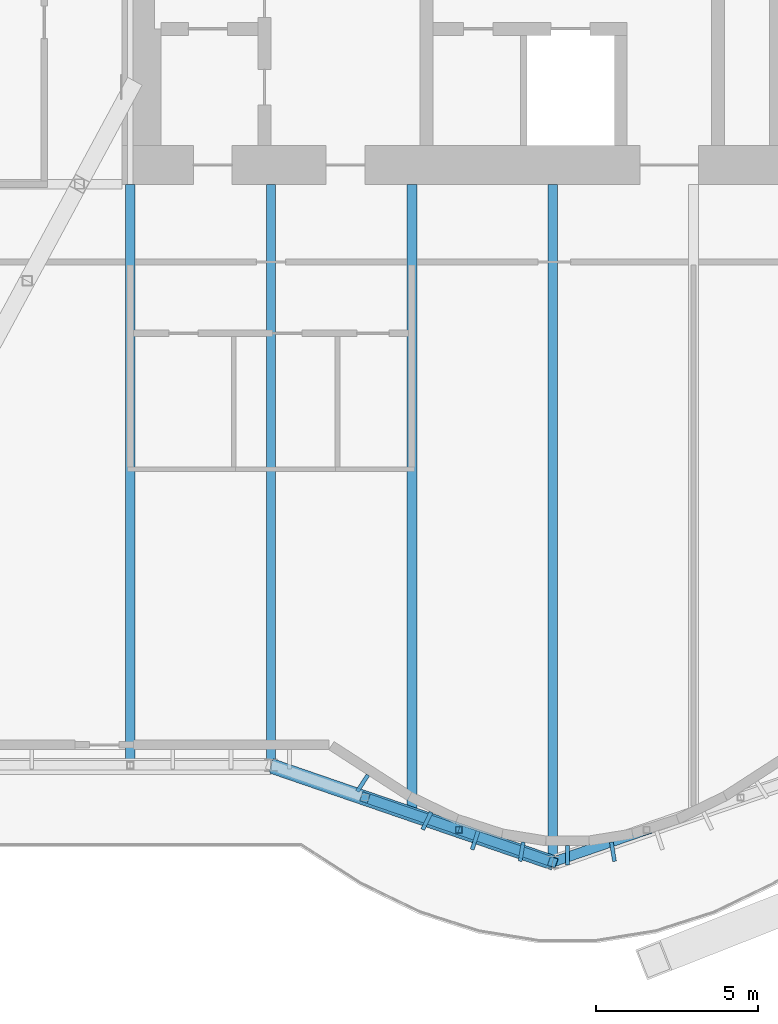
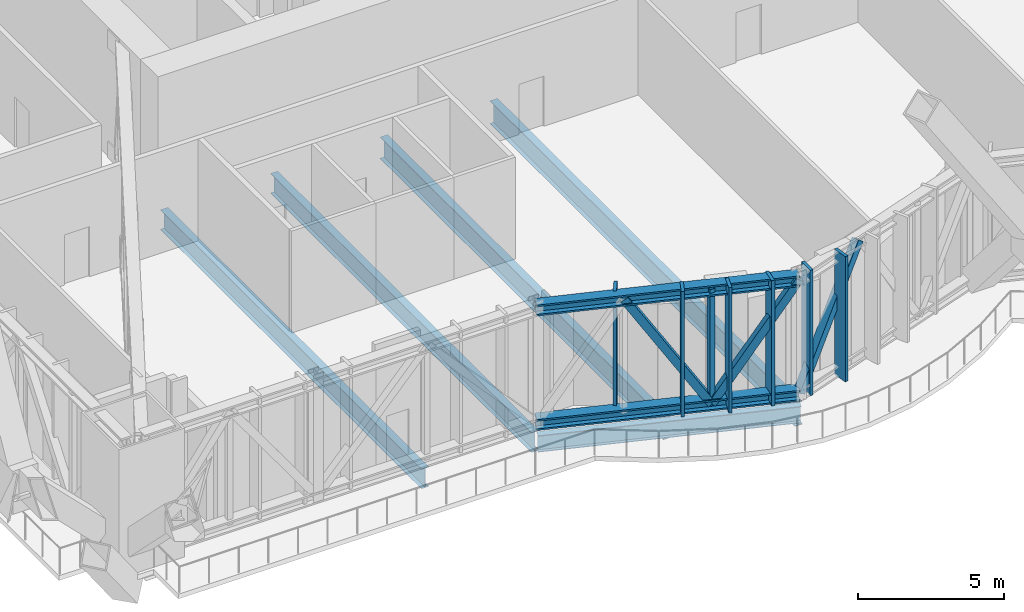
# One storey, part 5 of 30: 12 members, 5 beams, 1 element without a shape of its own.
"""IFC4 building model written with IfcOpenShell, lengths in metres."""

import ifcopenshell
import ifcopenshell.guid

model = None  # the IFC model being written
_history = None  # IfcOwnerHistory: only IFC2X3 demands one
_inside = {}  # id of a spatial element -> (the spatial element, [elements in it])
_under = {}  # id of a project, library or spatial element -> (it, [spatial elements below it])
_declared = {}  # id of a project -> (the project, [libraries it declares])
_typed = {}  # id of a type object -> (the type object, [elements of that type])
_made_of = {}  # id of a material, layer set ... -> (it, [elements and type objects made of it])


def new_model(schema):
    """Start an empty IFC model of exactly this schema.

    Asked for "IFC4X3", IfcOpenShell would pick the latest addendum, in which some entities
    have other attributes; the version numbers below select the first issue.
    IFC2X3 requires an IfcOwnerHistory on every rooted entity: one is made here for all.
    """
    global model, _history
    if schema == "IFC4X3":
        model = ifcopenshell.file(schema_version=(4, 3, 0, 0))
    else:
        model = ifcopenshell.file(schema=schema)
    _inside.clear()
    _under.clear()
    _declared.clear()
    _typed.clear()
    _made_of.clear()
    _history = None
    if model.schema == "IFC2X3":
        org = make("IfcOrganization", Name="unknown")
        user = make(
            "IfcPersonAndOrganization",
            ThePerson=make("IfcPerson", FamilyName="unknown"),
            TheOrganization=org,
        )
        app = make(
            "IfcApplication",
            ApplicationDeveloper=org,
            Version="unknown",
            ApplicationFullName="unknown",
            ApplicationIdentifier="unknown",
        )
        _history = make(
            "IfcOwnerHistory",
            OwningUser=user,
            OwningApplication=app,
            ChangeAction="ADDED",
            CreationDate=0,
        )
    return model


def make(cls, **values):
    """One entity of the class cls with the attributes given. An attribute that is None is left unset."""
    return model.create_entity(
        cls, **{name: value for name, value in values.items() if value is not None}
    )


def rooted(cls, **values):
    """An entity with a GlobalId (a new one), such as an element, a storey or a relation."""
    return make(cls, GlobalId=ifcopenshell.guid.new(), OwnerHistory=_history, **values)


def si_unit(unit_type, name, prefix=None):
    """IfcSIUnit, for example si_unit("LENGTHUNIT", "METRE", prefix="MILLI")."""
    return make("IfcSIUnit", UnitType=unit_type, Prefix=prefix, Name=name)


def assignment(units):
    """IfcUnitAssignment: the units of a project."""
    return None if units is None else make("IfcUnitAssignment", Units=units)


def point(xyz):
    """IfcCartesianPoint."""
    return None if xyz is None else make("IfcCartesianPoint", Coordinates=xyz)


def direction(xyz):
    """IfcDirection."""
    return None if xyz is None else make("IfcDirection", DirectionRatios=xyz)


def frame(location, z_axis=None, x_axis=None):
    """IfcAxis2Placement3D, a coordinate frame: its origin and axes. An axis left out is left unset."""
    return make(
        "IfcAxis2Placement3D",
        Location=point(location),
        Axis=direction(z_axis),
        RefDirection=direction(x_axis),
    )


def frame_2d(location, x_axis=None):
    """IfcAxis2Placement2D, a coordinate frame in the plane: its origin and x axis."""
    return make(
        "IfcAxis2Placement2D", Location=point(location), RefDirection=direction(x_axis)
    )


def origin():
    """The frame at (0, 0, 0) with its axes left unset."""
    return frame((0.0, 0.0, 0.0))


def origin_2d():
    """The frame at (0, 0) in the plane with its x axis left unset."""
    return frame_2d((0.0, 0.0))


def place(relative_to, where):
    """IfcLocalPlacement: puts the frame where relative to a parent placement (None: the world)."""
    return make(
        "IfcLocalPlacement", PlacementRelTo=relative_to, RelativePlacement=where
    )


def context(
    kind, dimensions, precision=None, world=None, true_north=None, identifier=None
):
    """IfcGeometricRepresentationContext, for example the 3D "Model" context."""
    return make(
        "IfcGeometricRepresentationContext",
        ContextIdentifier=identifier,
        ContextType=kind,
        CoordinateSpaceDimension=dimensions,
        Precision=precision,
        WorldCoordinateSystem=world,
        TrueNorth=true_north,
    )


def subcontext(parent, identifier, kind, view, scale=None):
    """IfcGeometricRepresentationSubContext, for example "Body" below "Model"."""
    return make(
        "IfcGeometricRepresentationSubContext",
        ContextIdentifier=identifier,
        ContextType=kind,
        ParentContext=parent,
        TargetScale=scale,
        TargetView=view,
    )


def project(units=None, contexts=None):
    """IfcProject with its units and contexts."""
    return rooted(
        "IfcProject",
        Name="project",
        RepresentationContexts=contexts,
        UnitsInContext=assignment(units),
    )


def spatial(cls, under=None, at=None, **own):
    """A site, building, storey or space (cls), placed at a placement, below another one or the project."""
    s = rooted(cls, ObjectPlacement=at, **own)
    if under is not None:
        _under.setdefault(under.id(), (under, []))[1].append(s)
    return s


def profile(cls, at=None, kind="AREA", **sizes):
    """A parametric profile (cls). Its sizes go by their IFC names, for example OverallWidth=200.0."""
    return make(cls, ProfileType=kind, Position=at, **sizes)


def rectangle(**sizes):
    """IfcRectangleProfileDef."""
    return profile("IfcRectangleProfileDef", **sizes)


def hollow_rectangle(**sizes):
    """IfcRectangleHollowProfileDef."""
    return profile("IfcRectangleHollowProfileDef", **sizes)


def i_section(**sizes):
    """IfcIShapeProfileDef."""
    return profile("IfcIShapeProfileDef", **sizes)


def extrude(swept, where, along, depth):
    """IfcExtrudedAreaSolid: the profile swept, set in the frame where, extruded along a direction by depth."""
    return make(
        "IfcExtrudedAreaSolid",
        SweptArea=swept,
        Position=where,
        ExtrudedDirection=direction(along),
        Depth=depth,
    )


def shape(context_of_items, identifier, shape_type, items):
    """IfcShapeRepresentation: the items that make up one representation, for example the "Body"."""
    return make(
        "IfcShapeRepresentation",
        ContextOfItems=context_of_items,
        RepresentationIdentifier=identifier,
        RepresentationType=shape_type,
        Items=items,
    )


def material(Name=None, Category=None):
    """IfcMaterial."""
    return make("IfcMaterial", Name=Name, Category=Category)


def material_profile(
    of_material, cross_section, Name=None, Category=None, Priority=None
):
    """IfcMaterialProfile: a cross section and its material."""
    return make(
        "IfcMaterialProfile",
        Name=Name,
        Material=of_material,
        Profile=cross_section,
        Priority=Priority,
        Category=Category,
    )


def profile_set(profiles, Name=None, composite=None):
    """IfcMaterialProfileSet."""
    return make(
        "IfcMaterialProfileSet",
        Name=Name,
        MaterialProfiles=profiles,
        CompositeProfile=composite,
    )


def made_of(thing, what):
    """Note that an element or type object is made of a material, layer set ...; save() writes the relation."""
    if what is not None:
        _made_of.setdefault(what.id(), (what, []))[1].append(thing)
    return thing


def type_object(cls, material=None, **own):
    """A type object (cls), such as IfcWallType, which elements share."""
    return made_of(rooted(cls, **own), material)


def element(
    cls,
    number,
    at=None,
    inside=None,
    cuts=None,
    type_object=None,
    material=None,
    context=None,
    identifier="Body",
    shape_type=None,
    held_by="IfcProductDefinitionShape",
    body=None,
    shapes=None,
    **own,
):
    """One element of the class cls, such as IfcWall. Its Tag is "e" and its number.

    at: its placement. inside: the storey or other place that contains it. cuts: it is an
    opening in that element (IfcRelVoidsElement). A single representation is given by context,
    identifier, shape_type and body (its items); several are given by shapes. held_by: the class
    of the entity that holds the representations. save() writes the other relations.
    """
    e = rooted(cls, Tag="e%d" % number, ObjectPlacement=at, **own)
    if body is not None:
        shapes = [shape(context, identifier, shape_type, body)]
    if shapes is not None:
        e.Representation = make(held_by, Representations=shapes)
    if inside is not None:
        _inside.setdefault(inside.id(), (inside, []))[1].append(e)
    if cuts is not None:
        rooted(
            "IfcRelVoidsElement", RelatingBuildingElement=cuts, RelatedOpeningElement=e
        )
    if type_object is not None:
        _typed.setdefault(type_object.id(), (type_object, []))[1].append(e)
    return made_of(e, material)


def aggregate(whole, parts):
    """IfcRelAggregates: a whole, such as a stair, and the parts it consists of."""
    return rooted("IfcRelAggregates", RelatingObject=whole, RelatedObjects=parts)


def save(model, path):
    """Write the relations noted so far, then the file.

    IfcRelAggregates (storeys below a building ...), IfcRelContainedInSpatialStructure (elements
    in a storey), IfcRelDefinesByType, IfcRelAssociatesMaterial and IfcRelDeclares: one each for
    every whole, place, type object, material and project.
    """
    for whole, parts in _under.values():
        aggregate(whole, parts)
    for where, things in _inside.values():
        rooted(
            "IfcRelContainedInSpatialStructure",
            RelatedElements=things,
            RelatingStructure=where,
        )
    for kind, things in _typed.values():
        rooted("IfcRelDefinesByType", RelatedObjects=things, RelatingType=kind)
    for what, things in _made_of.values():
        rooted("IfcRelAssociatesMaterial", RelatedObjects=things, RelatingMaterial=what)
    for by, libraries in _declared.values():
        rooted("IfcRelDeclares", RelatingContext=by, RelatedDefinitions=libraries)
    model.write(path)


model = new_model("IFC4")

# Units and contexts
model_context = context("Model", 3, precision=1e-05, world=origin(), true_north=direction((0.0, 1.0)))
body_context = subcontext(model_context, "Body", "Model", "MODEL_VIEW")
ifc_project = project(units=[si_unit("LENGTHUNIT", "METRE"), si_unit("AREAUNIT", "SQUARE_METRE"), si_unit("VOLUMEUNIT", "CUBIC_METRE"), si_unit("PLANEANGLEUNIT", "RADIAN"), si_unit("MASSUNIT", "GRAM", prefix="KILO")], contexts=[model_context])

# Site, building, storey
site_placement = place(None, origin())
site = spatial("IfcSite", under=ifc_project, at=site_placement, CompositionType="ELEMENT")
building_placement = place(site_placement, origin())
building = spatial("IfcBuilding", under=site, at=building_placement, Name="Bicima Exchange Tower", CompositionType="ELEMENT")
storey_placement = place(building_placement, frame((0.0, 0.0, 185.5)))
storey = spatial("IfcBuildingStorey", under=building, at=storey_placement, Name="L41", CompositionType="ELEMENT", Elevation=185.5)

# Curtain wall, members
ifc_material_1 = material(Name="Anodised bronze aluminium", Category="aluminium")
curtain_wall_type = type_object("IfcCurtainWallType", Name="Band blade screen", PredefinedType="NOTDEFINED", material=ifc_material_1)
curtain_wall_placement = place(storey_placement, origin())
curtain_wall = element("IfcCurtainWall", 1, at=curtain_wall_placement, inside=storey, type_object=curtain_wall_type, Name="Band blade screen L41", PredefinedType="NOTDEFINED")
ifc_material_profile_1 = material_profile(ifc_material_1, rectangle(XDim=0.60009765625, YDim=0.1201171875, at=origin_2d()))
ifc_profile_set_1 = profile_set([ifc_material_profile_1], Name="Anodised bronze aluminium")
member_type_1 = type_object("IfcMemberType", Name="Band blade fin 600 x 120", PredefinedType="USERDEFINED", material=ifc_profile_set_1)
member_1_placement = place(storey_placement, frame((-14.5703125, -31.492431640625, 0.0), z_axis=(0.0, 0.0, 1.0), x_axis=(0.542916511621, 0.839786676132, 0.0)))
member_1 = element("IfcMember", 2, at=member_1_placement, type_object=member_type_1, Name="Band blade fin 29", ObjectType="FIN", PredefinedType="USERDEFINED", context=body_context, shape_type="SweptSolid", body=[
    extrude(rectangle(XDim=0.60009765625, YDim=0.1201171875, at=origin_2d()), origin(), (0.0, 0.0, 1.0), 5.25),
])
member_2_placement = place(storey_placement, frame((-12.583740234375, -32.654541015625, 0.0), z_axis=(0.0, 0.0, 1.0), x_axis=(0.436286748784, 0.899807686584, 0.0)))
member_2 = element("IfcMember", 3, at=member_2_placement, type_object=member_type_1, Name="Band blade fin 30", ObjectType="FIN", PredefinedType="USERDEFINED", context=body_context, shape_type="SweptSolid", body=[
    extrude(rectangle(XDim=0.60009765625, YDim=0.1201171875, at=origin_2d()), origin(), (0.0, 0.0, 1.0), 5.25),
])
member_3_placement = place(storey_placement, frame((-11.096435546875, -33.258056640625, 0.0), z_axis=(0.0, 0.0, 1.0), x_axis=(0.307552591055, 0.951531083956, 0.0)))
member_3 = element("IfcMember", 4, at=member_3_placement, type_object=member_type_1, Name="Band blade fin 31", ObjectType="FIN", PredefinedType="USERDEFINED", context=body_context, shape_type="SweptSolid", body=[
    extrude(rectangle(XDim=0.60009765625, YDim=0.1201171875, at=origin_2d()), origin(), (0.0, 0.0, 1.0), 5.25),
])
member_4_placement = place(storey_placement, frame((-9.65869140625, -33.6083984375, 0.0), z_axis=(0.0, 0.0, 1.0), x_axis=(0.159533156447, 0.987192570877, 0.0)))
member_4 = element("IfcMember", 5, at=member_4_placement, type_object=member_type_1, Name="Band blade fin 32", ObjectType="FIN", PredefinedType="USERDEFINED", context=body_context, shape_type="SweptSolid", body=[
    extrude(rectangle(XDim=0.60009765625, YDim=0.1201171875, at=origin_2d()), origin(), (0.0, 0.0, 1.0), 5.25),
])
member_5_placement = place(storey_placement, frame((-8.25, -33.722900390625, 0.0), z_axis=(0.0, 0.0, 1.0), x_axis=(0.0, 1.0, 0.0)))
member_5 = element("IfcMember", 6, at=member_5_placement, type_object=member_type_1, Name="Band blade fin 33", ObjectType="FIN", PredefinedType="USERDEFINED", context=body_context, shape_type="SweptSolid", body=[
    extrude(rectangle(XDim=0.60009765625, YDim=0.1201171875, at=origin_2d()), origin(), (0.0, 0.0, 1.0), 5.25),
])
member_6_placement = place(storey_placement, frame((-6.84130859375, -33.6083984375, 0.0), z_axis=(0.0, 0.0, 1.0), x_axis=(-0.159533156447, 0.987192570877, 0.0)))
member_6 = element("IfcMember", 7, at=member_6_placement, type_object=member_type_1, Name="Band blade fin 34", ObjectType="FIN", PredefinedType="USERDEFINED", context=body_context, shape_type="SweptSolid", body=[
    extrude(rectangle(XDim=0.60009765625, YDim=0.1201171875, at=origin_2d()), origin(), (0.0, 0.0, 1.0), 5.25),
])
aggregate(curtain_wall, [member_1, member_2, member_3, member_4, member_5, member_6])

# Members
ifc_material_2 = material(Name="Steel ASTM A992 Gr 50", Category="steel")
ifc_material_profile_2 = material_profile(ifc_material_2, i_section(OverallWidth=0.419189453125, OverallDepth=0.45458984375, WebThickness=0.042236328125, FlangeThickness=0.067626953125, at=origin_2d()))
ifc_profile_set_2 = profile_set([ifc_material_profile_2], Name="Steel ASTM A992 Gr 50")
member_type_2 = type_object("IfcMemberType", Name="Belt truss chord W14x370", PredefinedType="CHORD", material=ifc_profile_set_2)
for number, where, z_axis, x_axis, name in (
    (8, (-17.39990234375, -30.93798828125, 5.022705078125), (0.945666456746, -0.325138359143, 0.0), (0.325138359143, 0.945666456746, 0.0), "Top chord"),
    (9, (-17.39990234375, -30.93798828125, 0.227294921875), (0.945666456746, -0.325138359143, 0.0), (0.325138359143, 0.945666456746, 0.0), "Bottom chord"),
):
    element("IfcMember", number, at=place(storey_placement, frame(where, z_axis=z_axis, x_axis=x_axis)), inside=storey, type_object=member_type_2, Name=name, PredefinedType="CHORD", context=body_context, shape_type="SweptSolid", body=[
        extrude(i_section(OverallWidth=0.419189453125, OverallDepth=0.45458984375, WebThickness=0.042236328125, FlangeThickness=0.067626953125, at=origin_2d()), origin(), (0.0, 0.0, 1.0), 9.19970703125),
    ])
ifc_material_3 = material(Name="Steel ASTM A572 Gr 50", Category="steel")
ifc_material_profile_3 = material_profile(ifc_material_3, hollow_rectangle(XDim=0.3046875, YDim=0.3046875, WallThickness=0.01171875, at=origin_2d()))
ifc_profile_set_3 = profile_set([ifc_material_profile_3], Name="Steel ASTM A572 Gr 50")
member_type_3 = type_object("IfcMemberType", Name="Belt truss diagonal HSS12x12x1/2", PredefinedType="STRUT", material=ifc_profile_set_3)
for number, where, z_axis, x_axis, name in (
    (10, (-14.5, -31.93505859375, 5.022705078125), (0.509468344066, -0.175127062538, -0.842479980986), (0.325075318312, 0.945688129049, 0.0), "Truss diagonal"),
    (11, (-11.60009765625, -32.931884765625, 0.227294921875), (0.509492446291, -0.175206384637, 0.842448912371), (0.325193231743, 0.945647588708, 0.0), "Truss diagonal"),
    (12, (-8.699951171875, -33.92919921875, 0.227294921875), (0.509460688613, 0.17521021325, 0.842467321581), (-0.325217713975, 0.945639169301, 0.0), "Truss diagonal"),
):
    element("IfcMember", number, at=place(storey_placement, frame(where, z_axis=z_axis, x_axis=x_axis)), inside=storey, type_object=member_type_3, Name=name, PredefinedType="STRUT", context=body_context, shape_type="SweptSolid", body=[
        extrude(hollow_rectangle(XDim=0.3046875, YDim=0.3046875, WallThickness=0.01171875, at=origin_2d()), origin(), (0.0, 0.0, 1.0), 5.692138671875),
    ])
ifc_material_profile_4 = material_profile(ifc_material_3, hollow_rectangle(XDim=0.203125, YDim=0.203125, WallThickness=0.01171875, at=origin_2d()))
ifc_profile_set_4 = profile_set([ifc_material_profile_4], Name="Steel ASTM A572 Gr 50")
member_type_4 = type_object("IfcMemberType", Name="Belt truss post HSS8x8x1/2", PredefinedType="POST", material=ifc_profile_set_4)
member_7_placement = place(storey_placement, frame((-11.60009765625, -32.931884765625, 0.227294921875), z_axis=(0.0, 0.0, 1.0), x_axis=(1.0, 0.0, 0.0)))
element("IfcMember", 13, at=member_7_placement, inside=storey, type_object=member_type_4, Name="Truss post", PredefinedType="POST", context=body_context, shape_type="SweptSolid", body=[
    extrude(hollow_rectangle(XDim=0.203125, YDim=0.203125, WallThickness=0.01171875, at=origin_2d()), origin(), (0.0, 0.0, 1.0), 4.79541015625),
])

# Beams
ifc_material_profile_5 = material_profile(ifc_material_2, i_section(OverallWidth=0.2919921875, OverallDepth=0.835693359375, WebThickness=0.013916015625, FlangeThickness=0.018798828125, at=origin_2d()))
ifc_profile_set_5 = profile_set([ifc_material_profile_5], Name="Steel ASTM A992 Gr 50")
beam_type_1 = type_object("IfcBeamType", Name="Floor beam W33x118", PredefinedType="JOIST", material=ifc_profile_set_5)
for number, where, z_axis, x_axis, name in (
    (14, (-21.75, -13.0, -0.617919921875), (0.0, -1.0, 0.0), (1.0, 0.0, 0.0), "Floor beam"),
    (15, (-17.39990234375, -13.0, -0.617919921875), (0.0, -1.0, 0.0), (1.0, 0.0, 0.0), "Floor beam"),
):
    element("IfcBeam", number, at=place(storey_placement, frame(where, z_axis=z_axis, x_axis=x_axis)), inside=storey, type_object=beam_type_1, Name=name, PredefinedType="JOIST", context=body_context, shape_type="SweptSolid", body=[
        extrude(i_section(OverallWidth=0.2919921875, OverallDepth=0.835693359375, WebThickness=0.013916015625, FlangeThickness=0.018798828125, at=origin_2d()), origin(), (0.0, 0.0, 1.0), 17.8974609375),
    ])
ifc_material_profile_6 = material_profile(ifc_material_2, i_section(OverallWidth=0.3046875, OverallDepth=0.904296875, WebThickness=0.01513671875, FlangeThickness=0.02001953125, at=origin_2d()))
ifc_profile_set_6 = profile_set([ifc_material_profile_6], Name="Steel ASTM A992 Gr 50")
beam_type_2 = type_object("IfcBeamType", Name="Floor beam W36x135", PredefinedType="JOIST", material=ifc_profile_set_6)
beam_1_placement = place(storey_placement, frame((-13.050048828125, -13.0, -0.652099609375), z_axis=(0.0, -1.0, 0.0), x_axis=(1.0, 0.0, 0.0)))
element("IfcBeam", 16, at=beam_1_placement, inside=storey, type_object=beam_type_2, Name="Floor beam", PredefinedType="JOIST", context=body_context, shape_type="SweptSolid", body=[
    extrude(i_section(OverallWidth=0.3046875, OverallDepth=0.904296875, WebThickness=0.01513671875, FlangeThickness=0.02001953125, at=origin_2d()), origin(), (0.0, 0.0, 1.0), 19.419921875),
])
ifc_material_profile_7 = material_profile(ifc_material_2, i_section(OverallWidth=0.2998046875, OverallDepth=0.97021484375, WebThickness=0.01611328125, FlangeThickness=0.02099609375, at=origin_2d()))
ifc_profile_set_7 = profile_set([ifc_material_profile_7], Name="Steel ASTM A992 Gr 50")
beam_type_3 = type_object("IfcBeamType", Name="Floor beam W40x149", PredefinedType="JOIST", material=ifc_profile_set_7)
beam_2_placement = place(storey_placement, frame((-8.699951171875, -13.0, -0.68505859375), z_axis=(0.0, -1.0, 0.0), x_axis=(1.0, 0.0, 0.0)))
element("IfcBeam", 17, at=beam_2_placement, inside=storey, type_object=beam_type_3, Name="Floor beam", PredefinedType="JOIST", context=body_context, shape_type="SweptSolid", body=[
    extrude(i_section(OverallWidth=0.2998046875, OverallDepth=0.97021484375, WebThickness=0.01611328125, FlangeThickness=0.02099609375, at=origin_2d()), origin(), (0.0, 0.0, 1.0), 20.915283203125),
])
ifc_material_profile_8 = material_profile(ifc_material_2, i_section(OverallWidth=0.256591796875, OverallDepth=0.693359375, WebThickness=0.014404296875, FlangeThickness=0.023681640625, at=origin_2d()))
ifc_profile_set_8 = profile_set([ifc_material_profile_8], Name="Steel ASTM A992 Gr 50")
beam_type_4 = type_object("IfcBeamType", Name="Front girder W27x114", PredefinedType="BEAM", material=ifc_profile_set_8)
beam_3_placement = place(storey_placement, frame((-17.39990234375, -31.06005859375, -0.546630859375), z_axis=(0.945674616091, -0.32511462668, 0.0), x_axis=(0.32511462668, 0.945674616091, 0.0)))
element("IfcBeam", 18, at=beam_3_placement, inside=storey, type_object=beam_type_4, Name="Front girder", PredefinedType="BEAM", context=body_context, shape_type="SweptSolid", body=[
    extrude(i_section(OverallWidth=0.256591796875, OverallDepth=0.693359375, WebThickness=0.014404296875, FlangeThickness=0.023681640625, at=origin_2d()), origin(), (0.0, 0.0, 1.0), 9.19970703125),
])

save(model, "model.ifc")
